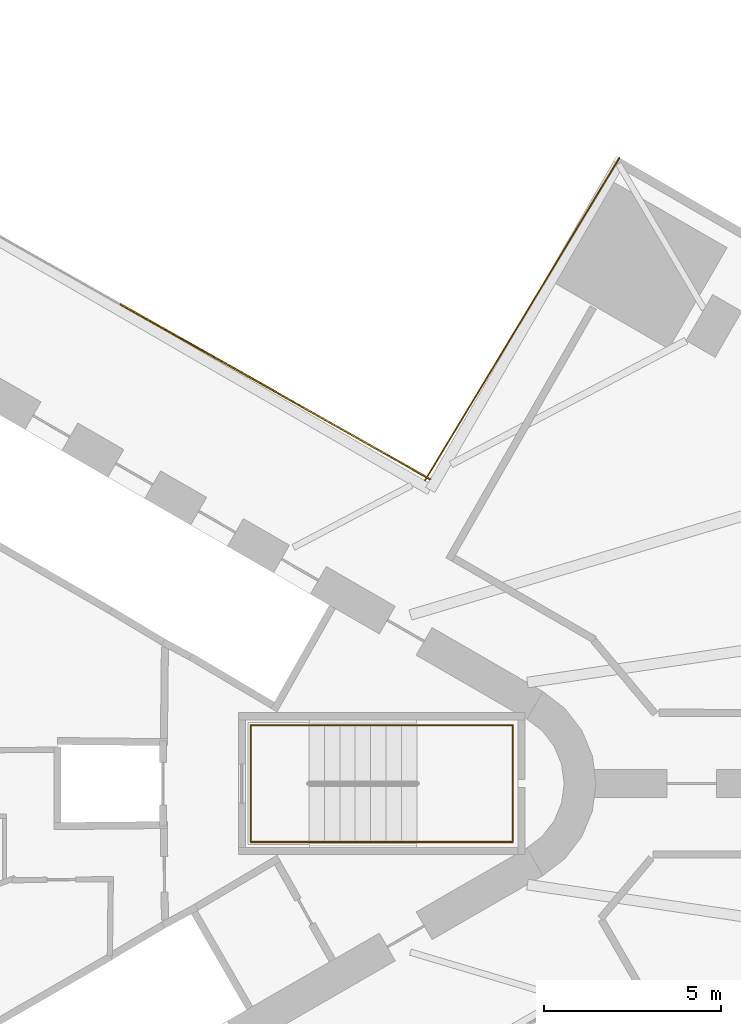
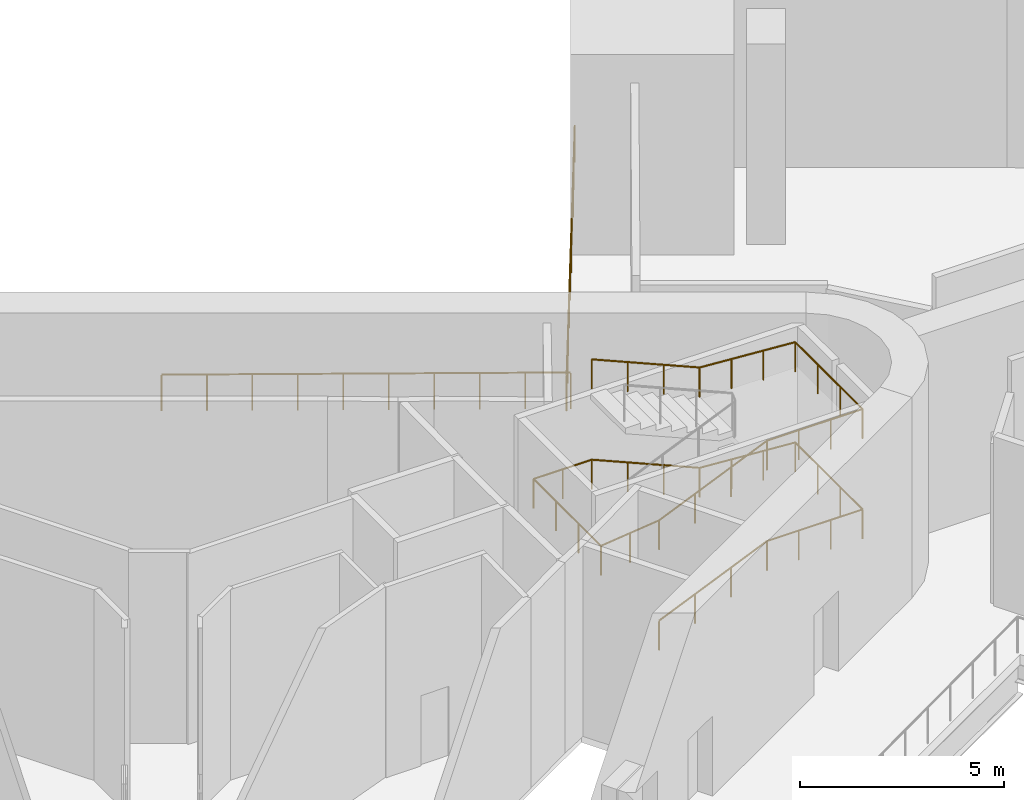
# One storey, part 11 of 11: 3 railings.
"""IFC4 building model written with IfcOpenShell, lengths in metres."""

from ifc_helpers import new_model, si_unit, direction, frame, origin, origin_2d, place, context, subcontext, project, spatial, circle, extrude, material, type_object, element, save


model = new_model("IFC4")

# Units and contexts
model_context = context("Model", 3, precision=1e-05, world=origin(), true_north=direction((0.0, 1.0)))
body_context = subcontext(model_context, "Body", "Model", "MODEL_VIEW")
ifc_project = project(units=[si_unit("LENGTHUNIT", "METRE"), si_unit("AREAUNIT", "SQUARE_METRE"), si_unit("VOLUMEUNIT", "CUBIC_METRE"), si_unit("PLANEANGLEUNIT", "RADIAN"), si_unit("MASSUNIT", "GRAM", prefix="KILO")], contexts=[model_context])

# Site, building, storey
site_placement = place(None, origin())
site = spatial("IfcSite", under=ifc_project, at=site_placement, CompositionType="ELEMENT")
building_placement = place(site_placement, origin())
building = spatial("IfcBuilding", under=site, at=building_placement, Name="Tanit Gate Tower", CompositionType="ELEMENT")
storey_placement = place(building_placement, frame((0.0, 0.0, 15.5)))
storey = spatial("IfcBuildingStorey", under=building, at=storey_placement, Name="L02", CompositionType="ELEMENT", Elevation=15.5)

# Railings
ifc_material_1 = material(Name="Stainless steel", Category="steel")
railing_type_1 = type_object("IfcRailingType", Name="Guard 1100 stainless steel balustrade", PredefinedType="GUARDRAIL", material=ifc_material_1)
railing_1_placement = place(storey_placement, frame((16.37353515625, 8.56005859375, 0.0)))
element("IfcRailing", 1, at=railing_1_placement, inside=storey, type_object=railing_type_1, Name="Tunnel edge guard L02 5", PredefinedType="GUARDRAIL", context=body_context, shape_type="SweptSolid", body=[
    extrude(circle(Radius=0.02392578125, at=origin_2d()), frame((0.0, 0.0, 1.076171875), z_axis=(0.516210356507, 0.856461830927, 0.0), x_axis=(-0.856461830927, 0.516210356507, 0.0)), (0.0, 0.0, 1.0), 10.630859375),
    extrude(circle(Radius=0.02099609375, at=origin_2d()), origin(), (0.0, 0.0, 1.0), 1.052001953125),
    extrude(circle(Radius=0.02099609375, at=origin_2d()), frame((0.60986328125, 1.01171875, 0.0)), (0.0, 0.0, 1.0), 1.052001953125),
    extrude(circle(Radius=0.02099609375, at=origin_2d()), frame((1.219482421875, 2.0234375, 0.0)), (0.0, 0.0, 1.0), 1.052001953125),
    extrude(circle(Radius=0.02099609375, at=origin_2d()), frame((1.829345703125, 3.034912109375, 0.0)), (0.0, 0.0, 1.0), 1.052001953125),
    extrude(circle(Radius=0.02099609375, at=origin_2d()), frame((2.43896484375, 4.046630859375, 0.0)), (0.0, 0.0, 1.0), 1.052001953125),
    extrude(circle(Radius=0.02099609375, at=origin_2d()), frame((3.048828125, 5.058349609375, 0.0)), (0.0, 0.0, 1.0), 1.052001953125),
    extrude(circle(Radius=0.02099609375, at=origin_2d()), frame((3.658447265625, 6.070068359375, 0.0)), (0.0, 0.0, 1.0), 1.052001953125),
    extrude(circle(Radius=0.02099609375, at=origin_2d()), frame((4.268310546875, 7.08154296875, 0.0)), (0.0, 0.0, 1.0), 1.052001953125),
    extrude(circle(Radius=0.02099609375, at=origin_2d()), frame((4.8779296875, 8.09326171875, 0.0)), (0.0, 0.0, 1.0), 1.052001953125),
    extrude(circle(Radius=0.02099609375, at=origin_2d()), frame((5.48779296875, 9.10498046875, 0.0)), (0.0, 0.0, 1.0), 1.052001953125),
])
railing_2_placement = place(storey_placement, frame((7.78271484375, 13.52685546875, 0.0)))
element("IfcRailing", 2, at=railing_2_placement, inside=storey, type_object=railing_type_1, Name="Tunnel edge guard L02 6", PredefinedType="GUARDRAIL", context=body_context, shape_type="SweptSolid", body=[
    extrude(circle(Radius=0.02392578125, at=origin_2d()), frame((0.0, 0.0, 1.076171875), z_axis=(0.870681662692, -0.491846970359, 0.0), x_axis=(0.491846970359, 0.870681662692, 0.0)), (0.0, 0.0, 1.0), 10.023681640625),
    extrude(circle(Radius=0.02099609375, at=origin_2d()), origin(), (0.0, 0.0, 1.0), 1.052001953125),
    extrude(circle(Radius=0.02099609375, at=origin_2d()), frame((0.9697265625, -0.5478515625, 0.0)), (0.0, 0.0, 1.0), 1.052001953125),
    extrude(circle(Radius=0.02099609375, at=origin_2d()), frame((1.939453125, -1.095703125, 0.0)), (0.0, 0.0, 1.0), 1.052001953125),
    extrude(circle(Radius=0.02099609375, at=origin_2d()), frame((2.9091796875, -1.643310546875, 0.0)), (0.0, 0.0, 1.0), 1.052001953125),
    extrude(circle(Radius=0.02099609375, at=origin_2d()), frame((3.87890625, -2.191162109375, 0.0)), (0.0, 0.0, 1.0), 1.052001953125),
    extrude(circle(Radius=0.02099609375, at=origin_2d()), frame((4.8486328125, -2.739013671875, 0.0)), (0.0, 0.0, 1.0), 1.052001953125),
    extrude(circle(Radius=0.02099609375, at=origin_2d()), frame((5.818359375, -3.286865234375, 0.0)), (0.0, 0.0, 1.0), 1.052001953125),
    extrude(circle(Radius=0.02099609375, at=origin_2d()), frame((6.7880859375, -3.83447265625, 0.0)), (0.0, 0.0, 1.0), 1.052001953125),
    extrude(circle(Radius=0.02099609375, at=origin_2d()), frame((7.7578125, -4.38232421875, 0.0)), (0.0, 0.0, 1.0), 1.052001953125),
    extrude(circle(Radius=0.02099609375, at=origin_2d()), frame((8.7275390625, -4.93017578125, 0.0)), (0.0, 0.0, 1.0), 1.052001953125),
])
ifc_material_2 = material(Name="Stainless steel handrail", Category="steel")
railing_type_2 = type_object("IfcRailingType", Name="INT-STAIR-HANDRAIL", PredefinedType="HANDRAIL", material=ifc_material_2)
railing_3_placement = place(storey_placement, frame((13.094970703125, -1.64990234375, 0.1875)))
element("IfcRailing", 3, at=railing_3_placement, inside=storey, type_object=railing_type_2, Name="L02 S1 stair handrail 1", PredefinedType="HANDRAIL", context=body_context, shape_type="SweptSolid", body=[
    extrude(circle(Radius=0.02392578125, at=origin_2d()), frame((0.0, 0.0, 0.8759765625), z_axis=(0.918608089886, 0.0, 0.395169808052), x_axis=(0.0, 1.0, 0.0)), (0.0, 0.0, 1.0), 3.3212890625),
    extrude(circle(Radius=0.02392578125, at=origin_2d()), frame((3.051025390625, 0.0, 2.1884765625), z_axis=(1.0, 0.0, 0.0), x_axis=(0.0, 1.0, 0.0)), (0.0, 0.0, 1.0), 2.7041015625),
    extrude(circle(Radius=0.02392578125, at=origin_2d()), frame((5.755126953125, 0.0, 2.1884765625), z_axis=(0.0, 1.0, 0.0), x_axis=(-1.0, 0.0, 0.0)), (0.0, 0.0, 1.0), 3.2998046875),
    extrude(circle(Radius=0.02392578125, at=origin_2d()), frame((5.755126953125, 3.2998046875, 2.1884765625), z_axis=(-0.997604677724, 0.0, 0.069173022074), x_axis=(0.0, -1.0, 0.0)), (0.0, 0.0, 1.0), 2.710693359375),
    extrude(circle(Radius=0.02392578125, at=origin_2d()), frame((3.051025390625, 3.2998046875, 2.3759765625), z_axis=(-0.918608089886, 0.0, 0.395169808052), x_axis=(0.0, -1.0, 0.0)), (0.0, 0.0, 1.0), 3.3212890625),
    extrude(circle(Radius=0.02392578125, at=origin_2d()), frame((0.0, 3.2998046875, 3.6884765625), z_axis=(-1.0, 0.0, 0.0), x_axis=(0.0, -1.0, 0.0)), (0.0, 0.0, 1.0), 1.64501953125),
    extrude(circle(Radius=0.02392578125, at=origin_2d()), frame((-1.64501953125, 3.2998046875, 3.6884765625), z_axis=(0.0, -1.0, 0.0), x_axis=(1.0, 0.0, 0.0)), (0.0, 0.0, 1.0), 3.2998046875),
    extrude(circle(Radius=0.02392578125, at=origin_2d()), frame((-1.64501953125, 0.0, 3.6884765625), z_axis=(0.99356684807, 0.0, 0.113247156325), x_axis=(0.0, 1.0, 0.0)), (0.0, 0.0, 1.0), 1.65576171875),
    extrude(circle(Radius=0.02392578125, at=origin_2d()), frame((0.0, 0.0, 3.8759765625), z_axis=(0.918608089886, 0.0, 0.395169808052), x_axis=(0.0, 1.0, 0.0)), (0.0, 0.0, 1.0), 3.3212890625),
    extrude(circle(Radius=0.02392578125, at=origin_2d()), frame((3.051025390625, 0.0, 5.1884765625), z_axis=(1.0, 0.0, 0.0), x_axis=(0.0, 1.0, 0.0)), (0.0, 0.0, 1.0), 2.7041015625),
    extrude(circle(Radius=0.02392578125, at=origin_2d()), frame((5.755126953125, 0.0, 5.1884765625), z_axis=(0.0, 1.0, 0.0), x_axis=(-1.0, 0.0, 0.0)), (0.0, 0.0, 1.0), 3.2998046875),
    extrude(circle(Radius=0.02392578125, at=origin_2d()), frame((5.755126953125, 3.2998046875, 5.1884765625), z_axis=(-0.997604677724, 0.0, 0.069173022074), x_axis=(0.0, -1.0, 0.0)), (0.0, 0.0, 1.0), 2.710693359375),
    extrude(circle(Radius=0.02392578125, at=origin_2d()), frame((3.051025390625, 3.2998046875, 5.3759765625), z_axis=(-0.918608089886, 0.0, 0.395169808052), x_axis=(0.0, -1.0, 0.0)), (0.0, 0.0, 1.0), 3.3212890625),
    extrude(circle(Radius=0.02099609375, at=origin_2d()), origin(), (0.0, 0.0, 1.0), 0.851806640625),
    extrude(circle(Radius=0.02099609375, at=origin_2d()), frame((1.01708984375, 0.0, 0.4375)), (0.0, 0.0, 1.0), 0.851806640625),
    extrude(circle(Radius=0.02099609375, at=origin_2d()), frame((2.033935546875, 0.0, 0.875)), (0.0, 0.0, 1.0), 0.851806640625),
    extrude(circle(Radius=0.02099609375, at=origin_2d()), frame((3.051025390625, 0.0, 1.3125)), (0.0, 0.0, 1.0), 0.851806640625),
    extrude(circle(Radius=0.02099609375, at=origin_2d()), frame((3.952392578125, 0.0, 1.3125)), (0.0, 0.0, 1.0), 0.851806640625),
    extrude(circle(Radius=0.02099609375, at=origin_2d()), frame((4.853759765625, 0.0, 1.3125)), (0.0, 0.0, 1.0), 0.851806640625),
    extrude(circle(Radius=0.02099609375, at=origin_2d()), frame((5.755126953125, 0.0, 1.3125)), (0.0, 0.0, 1.0), 0.851806640625),
    extrude(circle(Radius=0.02099609375, at=origin_2d()), frame((5.755126953125, 1.099853515625, 1.3125)), (0.0, 0.0, 1.0), 0.851806640625),
    extrude(circle(Radius=0.02099609375, at=origin_2d()), frame((5.755126953125, 2.199951171875, 1.3125)), (0.0, 0.0, 1.0), 0.851806640625),
    extrude(circle(Radius=0.02099609375, at=origin_2d()), frame((5.755126953125, 3.2998046875, 1.3125)), (0.0, 0.0, 1.0), 0.851806640625),
    extrude(circle(Radius=0.02099609375, at=origin_2d()), frame((4.853759765625, 3.2998046875, 1.375)), (0.0, 0.0, 1.0), 0.851806640625),
    extrude(circle(Radius=0.02099609375, at=origin_2d()), frame((3.952392578125, 3.2998046875, 1.4375)), (0.0, 0.0, 1.0), 0.851806640625),
    extrude(circle(Radius=0.02099609375, at=origin_2d()), frame((3.051025390625, 3.2998046875, 1.5)), (0.0, 0.0, 1.0), 0.851806640625),
    extrude(circle(Radius=0.02099609375, at=origin_2d()), frame((2.033935546875, 3.2998046875, 1.9375)), (0.0, 0.0, 1.0), 0.851806640625),
    extrude(circle(Radius=0.02099609375, at=origin_2d()), frame((1.01708984375, 3.2998046875, 2.375)), (0.0, 0.0, 1.0), 0.851806640625),
    extrude(circle(Radius=0.02099609375, at=origin_2d()), frame((0.0, 3.2998046875, 2.8125)), (0.0, 0.0, 1.0), 0.851806640625),
    extrude(circle(Radius=0.02099609375, at=origin_2d()), frame((-0.822509765625, 3.2998046875, 2.8125)), (0.0, 0.0, 1.0), 0.851806640625),
    extrude(circle(Radius=0.02099609375, at=origin_2d()), frame((-1.64501953125, 3.2998046875, 2.8125)), (0.0, 0.0, 1.0), 0.851806640625),
    extrude(circle(Radius=0.02099609375, at=origin_2d()), frame((-1.64501953125, 2.199951171875, 2.8125)), (0.0, 0.0, 1.0), 0.851806640625),
    extrude(circle(Radius=0.02099609375, at=origin_2d()), frame((-1.64501953125, 1.099853515625, 2.8125)), (0.0, 0.0, 1.0), 0.851806640625),
    extrude(circle(Radius=0.02099609375, at=origin_2d()), frame((-1.64501953125, 0.0, 2.8125)), (0.0, 0.0, 1.0), 0.851806640625),
    extrude(circle(Radius=0.02099609375, at=origin_2d()), frame((-0.822509765625, 0.0, 2.90625)), (0.0, 0.0, 1.0), 0.851806640625),
    extrude(circle(Radius=0.02099609375, at=origin_2d()), frame((0.0, 0.0, 3.0)), (0.0, 0.0, 1.0), 0.851806640625),
    extrude(circle(Radius=0.02099609375, at=origin_2d()), frame((1.01708984375, 0.0, 3.4375)), (0.0, 0.0, 1.0), 0.851806640625),
    extrude(circle(Radius=0.02099609375, at=origin_2d()), frame((2.033935546875, 0.0, 3.875)), (0.0, 0.0, 1.0), 0.851806640625),
    extrude(circle(Radius=0.02099609375, at=origin_2d()), frame((3.051025390625, 0.0, 4.3125)), (0.0, 0.0, 1.0), 0.851806640625),
    extrude(circle(Radius=0.02099609375, at=origin_2d()), frame((3.952392578125, 0.0, 4.3125)), (0.0, 0.0, 1.0), 0.851806640625),
    extrude(circle(Radius=0.02099609375, at=origin_2d()), frame((4.853759765625, 0.0, 4.3125)), (0.0, 0.0, 1.0), 0.851806640625),
    extrude(circle(Radius=0.02099609375, at=origin_2d()), frame((5.755126953125, 0.0, 4.3125)), (0.0, 0.0, 1.0), 0.851806640625),
    extrude(circle(Radius=0.02099609375, at=origin_2d()), frame((5.755126953125, 1.099853515625, 4.3125)), (0.0, 0.0, 1.0), 0.851806640625),
    extrude(circle(Radius=0.02099609375, at=origin_2d()), frame((5.755126953125, 2.199951171875, 4.3125)), (0.0, 0.0, 1.0), 0.851806640625),
    extrude(circle(Radius=0.02099609375, at=origin_2d()), frame((5.755126953125, 3.2998046875, 4.3125)), (0.0, 0.0, 1.0), 0.851806640625),
    extrude(circle(Radius=0.02099609375, at=origin_2d()), frame((4.853759765625, 3.2998046875, 4.375)), (0.0, 0.0, 1.0), 0.851806640625),
    extrude(circle(Radius=0.02099609375, at=origin_2d()), frame((3.952392578125, 3.2998046875, 4.4375)), (0.0, 0.0, 1.0), 0.851806640625),
    extrude(circle(Radius=0.02099609375, at=origin_2d()), frame((3.051025390625, 3.2998046875, 4.5)), (0.0, 0.0, 1.0), 0.851806640625),
    extrude(circle(Radius=0.02099609375, at=origin_2d()), frame((2.033935546875, 3.2998046875, 4.9375)), (0.0, 0.0, 1.0), 0.851806640625),
    extrude(circle(Radius=0.02099609375, at=origin_2d()), frame((1.01708984375, 3.2998046875, 5.375)), (0.0, 0.0, 1.0), 0.851806640625),
    extrude(circle(Radius=0.02099609375, at=origin_2d()), frame((0.0, 3.2998046875, 5.8125)), (0.0, 0.0, 1.0), 0.851806640625),
])

save(model, "model.ifc")
